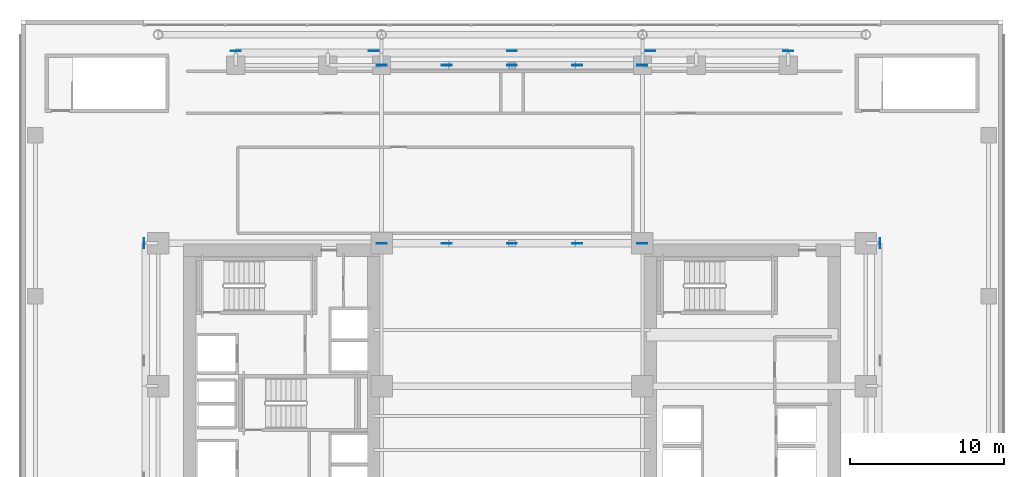
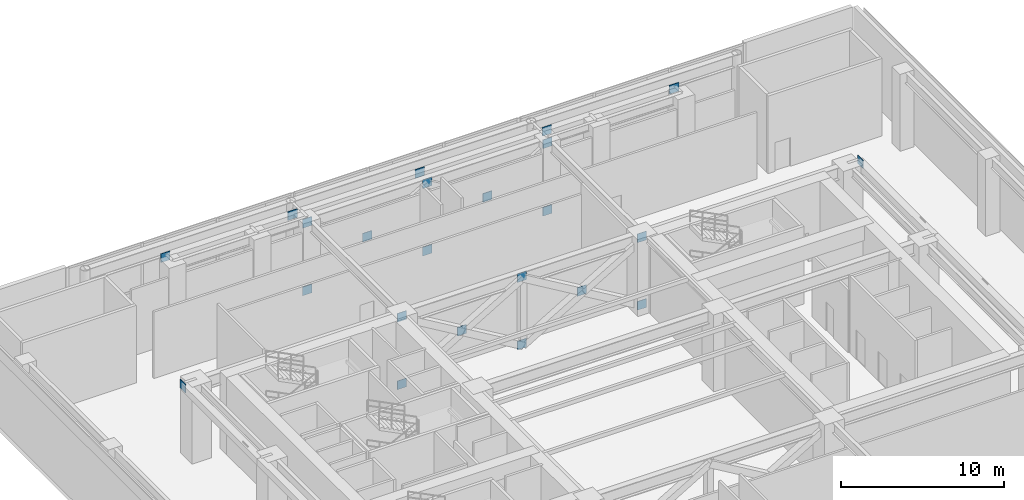
# One storey, part 20 of 29: 23 plates.
"""IFC4 building model written with IfcOpenShell, lengths in metres."""

from ifc_helpers import new_model, si_unit, direction, frame, origin, origin_2d, place, context, subcontext, project, spatial, rectangle, extrude, source, transform, mapped, material, layer, layer_set, type_object, element, save


model = new_model("IFC4")

# Units and contexts
model_context = context("Model", 3, precision=1e-05, world=origin(), true_north=direction((0.0, 1.0)))
body_context = subcontext(model_context, "Body", "Model", "MODEL_VIEW")
ifc_project = project(units=[si_unit("LENGTHUNIT", "METRE"), si_unit("AREAUNIT", "SQUARE_METRE"), si_unit("VOLUMEUNIT", "CUBIC_METRE"), si_unit("PLANEANGLEUNIT", "RADIAN"), si_unit("MASSUNIT", "GRAM", prefix="KILO")], contexts=[model_context])

# Site, building, storey
site_placement = place(None, origin())
site = spatial("IfcSite", under=ifc_project, at=site_placement, CompositionType="ELEMENT")
building_placement = place(site_placement, origin())
building = spatial("IfcBuilding", under=site, at=building_placement, Name="Ocotamira Hotel", CompositionType="ELEMENT")
storey_placement = place(building_placement, frame((0.0, 0.0, 28.800048828125)))
storey = spatial("IfcBuildingStorey", under=building, at=storey_placement, Name="L06", CompositionType="ELEMENT", Elevation=28.800048828125)

# Plates
ifc_material = material(Name="Pale-metal coated steel ASTM A572 Grade 50", Category="steel")
ifc_layer = layer(ifc_material, 0.0400390625)
ifc_layer_set = layer_set([ifc_layer], Name="Pale-metal coated steel ASTM A572 Grade 50")
plate_type = type_object("IfcPlateType", Name="PLT-GUSSET-40", PredefinedType="SHEET", material=ifc_layer_set)
shared_shape_1 = source(origin(), body_context, "Body", "SweptSolid", [
    extrude(rectangle(XDim=0.64990234375, YDim=0.0400390625, at=origin_2d()), origin(), (0.0, 0.0, 1.0), 0.64990234375),
])
for number, where, z_axis, x_axis, name in (
    (1, (32.0, 37.449951171875, -0.074951171875), (0.0, 0.0, 1.0), (1.0, 0.0, 0.0), "L06 Portal Transfer Truss Post Y37.45 End Gusset A"),
    (2, (32.0, 37.449951171875, 4.97509765625), (0.0, 0.0, 1.0), (1.0, 0.0, 0.0), "L06 Portal Transfer Truss Post Y37.45 End Gusset B"),
    (3, (23.5, 37.449951171875, -0.074951171875), (0.0, 0.0, 1.0), (1.0, 0.0, 0.0), "L06 Portal Transfer Truss Diagonal Y37.45-1 End Gusset A"),
    (4, (27.75, 37.449951171875, 2.449951171875), (0.0, 0.0, 1.0), (1.0, 0.0, 0.0), "L06 Portal Transfer Truss Diagonal Y37.45-3 Crossing Gusset Plate"),
    (5, (23.5, 37.449951171875, 4.97509765625), (0.0, 0.0, 1.0), (1.0, 0.0, 0.0), "L06 Portal Transfer Truss Diagonal Y37.45-3 End Gusset A"),
    (6, (40.5, 37.449951171875, -0.074951171875), (0.0, 0.0, 1.0), (1.0, 0.0, 0.0), "L06 Portal Transfer Truss Diagonal Y37.45-2 End Gusset B"),
    (7, (36.25, 37.449951171875, 2.449951171875), (0.0, 0.0, 1.0), (1.0, 0.0, 0.0), "L06 Portal Transfer Truss Diagonal Y37.45-4 Crossing Gusset Plate"),
    (8, (40.5, 37.449951171875, 4.97509765625), (0.0, 0.0, 1.0), (1.0, 0.0, 0.0), "L06 Portal Transfer Truss Diagonal Y37.45-4 End Gusset B"),
    (9, (32.0, 49.050048828125, -0.074951171875), (0.0, 0.0, 1.0), (1.0, 0.0, 0.0), "L06 Portal Transfer Truss Post Y49.05 End Gusset A"),
    (10, (32.0, 49.050048828125, 4.97509765625), (0.0, 0.0, 1.0), (1.0, 0.0, 0.0), "L06 Portal Transfer Truss Post Y49.05 End Gusset B"),
    (11, (23.5, 49.050048828125, -0.074951171875), (0.0, 0.0, 1.0), (1.0, 0.0, 0.0), "L06 Portal Transfer Truss Diagonal Y49.05-1 End Gusset A"),
    (12, (27.75, 49.050048828125, 2.449951171875), (0.0, 0.0, 1.0), (1.0, 0.0, 0.0), "L06 Portal Transfer Truss Diagonal Y49.05-3 Crossing Gusset Plate"),
    (13, (23.5, 49.050048828125, 4.97509765625), (0.0, 0.0, 1.0), (1.0, 0.0, 0.0), "L06 Portal Transfer Truss Diagonal Y49.05-3 End Gusset A"),
    (14, (40.5, 49.050048828125, -0.074951171875), (0.0, 0.0, 1.0), (1.0, 0.0, 0.0), "L06 Portal Transfer Truss Diagonal Y49.05-2 End Gusset B"),
    (15, (36.25, 49.050048828125, 2.449951171875), (0.0, 0.0, 1.0), (1.0, 0.0, 0.0), "L06 Portal Transfer Truss Diagonal Y49.05-4 Crossing Gusset Plate"),
    (16, (40.5, 49.050048828125, 4.97509765625), (0.0, 0.0, 1.0), (1.0, 0.0, 0.0), "L06 Portal Transfer Truss Diagonal Y49.05-4 End Gusset B"),
    (17, (14.0, 49.969970703125, 5.175048828125), (0.0, 0.0, 1.0), (1.0, 0.0, 0.0), "L06 Exoskeleton Diagrid N0.1 End Gusset A"),
    (18, (23.0, 49.969970703125, 5.175048828125), (0.0, 0.0, 1.0), (-1.0, 0.0, 0.0), "L06 Exoskeleton Diagrid N0.2 End Gusset A"),
    (19, (32.0, 49.969970703125, 5.175048828125), (0.0, 0.0, 1.0), (-1.0, 0.0, 0.0), "L06 Exoskeleton Diagrid N1.2 End Gusset A"),
    (20, (41.0, 49.969970703125, 5.175048828125), (0.0, 0.0, 1.0), (-1.0, 0.0, 0.0), "L06 Exoskeleton Diagrid N2.2 End Gusset A"),
    (21, (50.0, 49.969970703125, 5.175048828125), (0.0, 0.0, 1.0), (-1.0, 0.0, 0.0), "L06 Exoskeleton Diagrid N3.2 End Gusset A"),
):
    element("IfcPlate", number, at=place(storey_placement, frame(where, z_axis=z_axis, x_axis=x_axis)), inside=storey, type_object=plate_type, Name=name, PredefinedType="SHEET", context=body_context, shape_type="MappedRepresentation", body=[
        mapped(shared_shape_1, transform((0.0, 0.0, 0.0), scale=1.0)),
    ])
shared_shape_2 = source(origin(), body_context, "Body", "SweptSolid", [
    extrude(rectangle(XDim=0.0400390625, YDim=0.64990234375, at=origin_2d()), origin(), (0.0, 0.0, 1.0), 0.64990234375),
])
for number, where, z_axis, x_axis, name in (
    (22, (8.030029296875, 37.449951171875, 5.175048828125), (0.0, 0.0, 1.0), (1.0, 0.0, 0.0), "L06 Exoskeleton Diagrid W2.2 End Gusset A"),
    (23, (55.969970703125, 37.449951171875, 5.175048828125), (0.0, 0.0, 1.0), (1.0, 0.0, 0.0), "L06 Exoskeleton Diagrid E2.2 End Gusset A"),
):
    element("IfcPlate", number, at=place(storey_placement, frame(where, z_axis=z_axis, x_axis=x_axis)), inside=storey, type_object=plate_type, Name=name, PredefinedType="SHEET", context=body_context, shape_type="MappedRepresentation", body=[
        mapped(shared_shape_2, transform((0.0, 0.0, 0.0), scale=1.0)),
    ])

save(model, "model.ifc")
